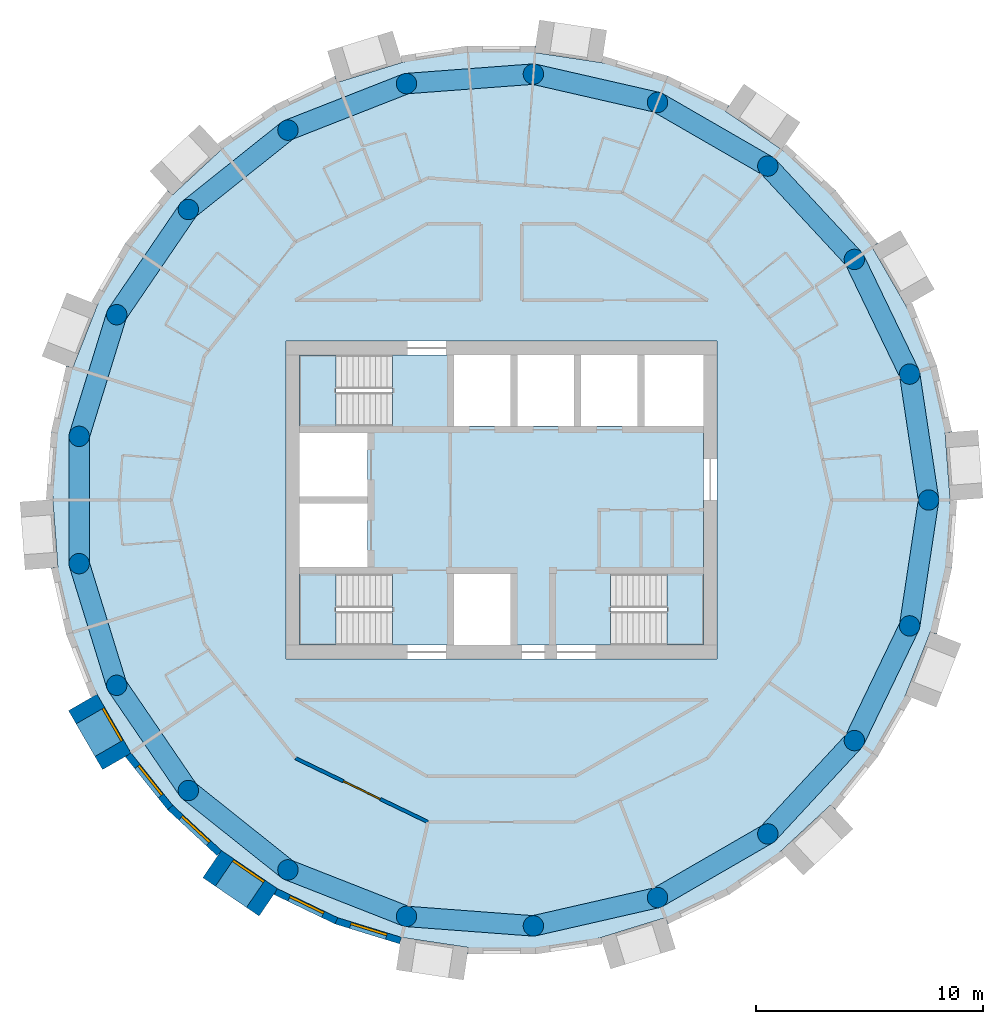
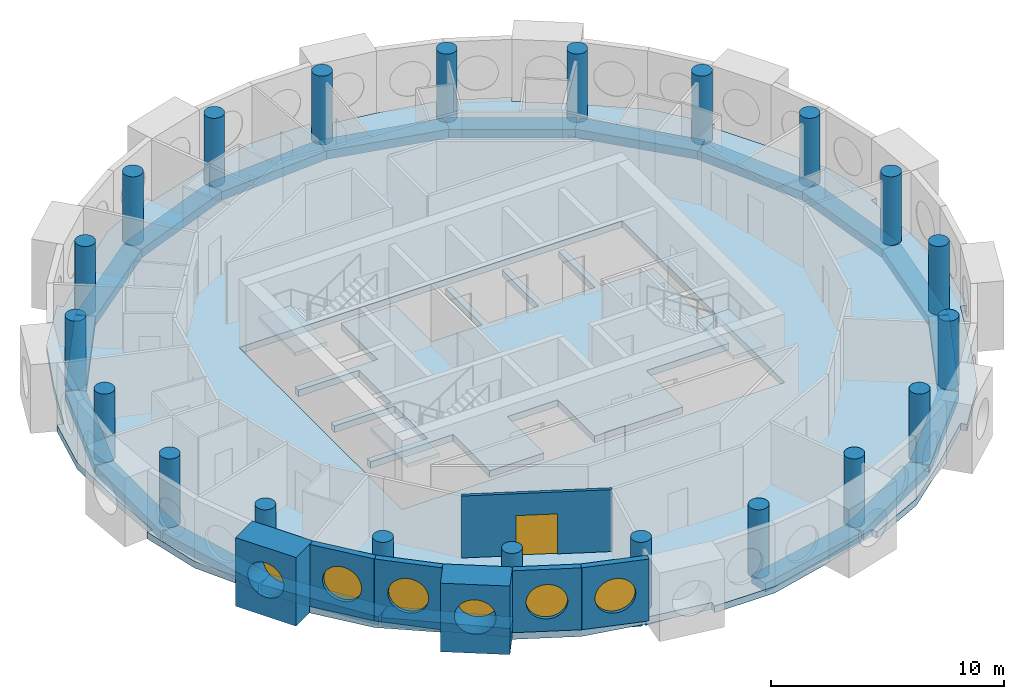
# One storey, part 1 of 12: 21 beams, 21 columns, 7 walls, 6 windows, 5 slabs, 1 door, 7 openings, 3 elements without a shape of their own.
"""IFC4 building model written with IfcOpenShell, lengths in metres."""

import ifcopenshell
import ifcopenshell.guid

model = None  # the IFC model being written
_history = None  # IfcOwnerHistory: only IFC2X3 demands one
_inside = {}  # id of a spatial element -> (the spatial element, [elements in it])
_under = {}  # id of a project, library or spatial element -> (it, [spatial elements below it])
_declared = {}  # id of a project -> (the project, [libraries it declares])
_typed = {}  # id of a type object -> (the type object, [elements of that type])
_made_of = {}  # id of a material, layer set ... -> (it, [elements and type objects made of it])


def new_model(schema):
    """Start an empty IFC model of exactly this schema.

    Asked for "IFC4X3", IfcOpenShell would pick the latest addendum, in which some entities
    have other attributes; the version numbers below select the first issue.
    IFC2X3 requires an IfcOwnerHistory on every rooted entity: one is made here for all.
    """
    global model, _history
    if schema == "IFC4X3":
        model = ifcopenshell.file(schema_version=(4, 3, 0, 0))
    else:
        model = ifcopenshell.file(schema=schema)
    _inside.clear()
    _under.clear()
    _declared.clear()
    _typed.clear()
    _made_of.clear()
    _history = None
    if model.schema == "IFC2X3":
        org = make("IfcOrganization", Name="unknown")
        user = make(
            "IfcPersonAndOrganization",
            ThePerson=make("IfcPerson", FamilyName="unknown"),
            TheOrganization=org,
        )
        app = make(
            "IfcApplication",
            ApplicationDeveloper=org,
            Version="unknown",
            ApplicationFullName="unknown",
            ApplicationIdentifier="unknown",
        )
        _history = make(
            "IfcOwnerHistory",
            OwningUser=user,
            OwningApplication=app,
            ChangeAction="ADDED",
            CreationDate=0,
        )
    return model


def make(cls, **values):
    """One entity of the class cls with the attributes given. An attribute that is None is left unset."""
    return model.create_entity(
        cls, **{name: value for name, value in values.items() if value is not None}
    )


def rooted(cls, **values):
    """An entity with a GlobalId (a new one), such as an element, a storey or a relation."""
    return make(cls, GlobalId=ifcopenshell.guid.new(), OwnerHistory=_history, **values)


def si_unit(unit_type, name, prefix=None):
    """IfcSIUnit, for example si_unit("LENGTHUNIT", "METRE", prefix="MILLI")."""
    return make("IfcSIUnit", UnitType=unit_type, Prefix=prefix, Name=name)


def assignment(units):
    """IfcUnitAssignment: the units of a project."""
    return None if units is None else make("IfcUnitAssignment", Units=units)


def point(xyz):
    """IfcCartesianPoint."""
    return None if xyz is None else make("IfcCartesianPoint", Coordinates=xyz)


def direction(xyz):
    """IfcDirection."""
    return None if xyz is None else make("IfcDirection", DirectionRatios=xyz)


def frame(location, z_axis=None, x_axis=None):
    """IfcAxis2Placement3D, a coordinate frame: its origin and axes. An axis left out is left unset."""
    return make(
        "IfcAxis2Placement3D",
        Location=point(location),
        Axis=direction(z_axis),
        RefDirection=direction(x_axis),
    )


def frame_2d(location, x_axis=None):
    """IfcAxis2Placement2D, a coordinate frame in the plane: its origin and x axis."""
    return make(
        "IfcAxis2Placement2D", Location=point(location), RefDirection=direction(x_axis)
    )


def origin():
    """The frame at (0, 0, 0) with its axes left unset."""
    return frame((0.0, 0.0, 0.0))


def origin_2d():
    """The frame at (0, 0) in the plane with its x axis left unset."""
    return frame_2d((0.0, 0.0))


def place(relative_to, where):
    """IfcLocalPlacement: puts the frame where relative to a parent placement (None: the world)."""
    return make(
        "IfcLocalPlacement", PlacementRelTo=relative_to, RelativePlacement=where
    )


def context(
    kind, dimensions, precision=None, world=None, true_north=None, identifier=None
):
    """IfcGeometricRepresentationContext, for example the 3D "Model" context."""
    return make(
        "IfcGeometricRepresentationContext",
        ContextIdentifier=identifier,
        ContextType=kind,
        CoordinateSpaceDimension=dimensions,
        Precision=precision,
        WorldCoordinateSystem=world,
        TrueNorth=true_north,
    )


def subcontext(parent, identifier, kind, view, scale=None):
    """IfcGeometricRepresentationSubContext, for example "Body" below "Model"."""
    return make(
        "IfcGeometricRepresentationSubContext",
        ContextIdentifier=identifier,
        ContextType=kind,
        ParentContext=parent,
        TargetScale=scale,
        TargetView=view,
    )


def project(units=None, contexts=None):
    """IfcProject with its units and contexts."""
    return rooted(
        "IfcProject",
        Name="project",
        RepresentationContexts=contexts,
        UnitsInContext=assignment(units),
    )


def spatial(cls, under=None, at=None, **own):
    """A site, building, storey or space (cls), placed at a placement, below another one or the project."""
    s = rooted(cls, ObjectPlacement=at, **own)
    if under is not None:
        _under.setdefault(under.id(), (under, []))[1].append(s)
    return s


def polyline(points):
    """IfcPolyline through the points."""
    return make("IfcPolyline", Points=[point(p) for p in points])


def profile(cls, at=None, kind="AREA", **sizes):
    """A parametric profile (cls). Its sizes go by their IFC names, for example OverallWidth=200.0."""
    return make(cls, ProfileType=kind, Position=at, **sizes)


def rectangle(**sizes):
    """IfcRectangleProfileDef."""
    return profile("IfcRectangleProfileDef", **sizes)


def circle(**sizes):
    """IfcCircleProfileDef."""
    return profile("IfcCircleProfileDef", **sizes)


def outline(outer, holes=None, kind="AREA"):
    """IfcArbitraryClosedProfileDef: a profile drawn as a closed curve; with holes, ...WithVoids."""
    if holes is None:
        return make("IfcArbitraryClosedProfileDef", ProfileType=kind, OuterCurve=outer)
    return make(
        "IfcArbitraryProfileDefWithVoids",
        ProfileType=kind,
        OuterCurve=outer,
        InnerCurves=holes,
    )


def extrude(swept, where, along, depth):
    """IfcExtrudedAreaSolid: the profile swept, set in the frame where, extruded along a direction by depth."""
    return make(
        "IfcExtrudedAreaSolid",
        SweptArea=swept,
        Position=where,
        ExtrudedDirection=direction(along),
        Depth=depth,
    )


def shape(context_of_items, identifier, shape_type, items):
    """IfcShapeRepresentation: the items that make up one representation, for example the "Body"."""
    return make(
        "IfcShapeRepresentation",
        ContextOfItems=context_of_items,
        RepresentationIdentifier=identifier,
        RepresentationType=shape_type,
        Items=items,
    )


def material(Name=None, Category=None):
    """IfcMaterial."""
    return make("IfcMaterial", Name=Name, Category=Category)


def layer(
    of_material, thickness, ventilated=None, Name=None, Category=None, Priority=None
):
    """IfcMaterialLayer: one layer of a wall or slab, of a material (None: an air gap)."""
    return make(
        "IfcMaterialLayer",
        Material=of_material,
        LayerThickness=thickness,
        IsVentilated=ventilated,
        Name=Name,
        Category=Category,
        Priority=Priority,
    )


def layer_set(layers, Name=None):
    """IfcMaterialLayerSet."""
    return make("IfcMaterialLayerSet", MaterialLayers=layers, LayerSetName=Name)


def material_profile(
    of_material, cross_section, Name=None, Category=None, Priority=None
):
    """IfcMaterialProfile: a cross section and its material."""
    return make(
        "IfcMaterialProfile",
        Name=Name,
        Material=of_material,
        Profile=cross_section,
        Priority=Priority,
        Category=Category,
    )


def profile_set(profiles, Name=None, composite=None):
    """IfcMaterialProfileSet."""
    return make(
        "IfcMaterialProfileSet",
        Name=Name,
        MaterialProfiles=profiles,
        CompositeProfile=composite,
    )


def made_of(thing, what):
    """Note that an element or type object is made of a material, layer set ...; save() writes the relation."""
    if what is not None:
        _made_of.setdefault(what.id(), (what, []))[1].append(thing)
    return thing


def type_object(cls, material=None, **own):
    """A type object (cls), such as IfcWallType, which elements share."""
    return made_of(rooted(cls, **own), material)


def element(
    cls,
    number,
    at=None,
    inside=None,
    cuts=None,
    type_object=None,
    material=None,
    context=None,
    identifier="Body",
    shape_type=None,
    held_by="IfcProductDefinitionShape",
    body=None,
    shapes=None,
    **own,
):
    """One element of the class cls, such as IfcWall. Its Tag is "e" and its number.

    at: its placement. inside: the storey or other place that contains it. cuts: it is an
    opening in that element (IfcRelVoidsElement). A single representation is given by context,
    identifier, shape_type and body (its items); several are given by shapes. held_by: the class
    of the entity that holds the representations. save() writes the other relations.
    """
    e = rooted(cls, Tag="e%d" % number, ObjectPlacement=at, **own)
    if body is not None:
        shapes = [shape(context, identifier, shape_type, body)]
    if shapes is not None:
        e.Representation = make(held_by, Representations=shapes)
    if inside is not None:
        _inside.setdefault(inside.id(), (inside, []))[1].append(e)
    if cuts is not None:
        rooted(
            "IfcRelVoidsElement", RelatingBuildingElement=cuts, RelatedOpeningElement=e
        )
    if type_object is not None:
        _typed.setdefault(type_object.id(), (type_object, []))[1].append(e)
    return made_of(e, material)


def fill(opening, filler):
    """IfcRelFillsElement: the door or window that sits in an opening."""
    return rooted(
        "IfcRelFillsElement",
        RelatingOpeningElement=opening,
        RelatedBuildingElement=filler,
    )


def aggregate(whole, parts):
    """IfcRelAggregates: a whole, such as a stair, and the parts it consists of."""
    return rooted("IfcRelAggregates", RelatingObject=whole, RelatedObjects=parts)


def save(model, path):
    """Write the relations noted so far, then the file.

    IfcRelAggregates (storeys below a building ...), IfcRelContainedInSpatialStructure (elements
    in a storey), IfcRelDefinesByType, IfcRelAssociatesMaterial and IfcRelDeclares: one each for
    every whole, place, type object, material and project.
    """
    for whole, parts in _under.values():
        aggregate(whole, parts)
    for where, things in _inside.values():
        rooted(
            "IfcRelContainedInSpatialStructure",
            RelatedElements=things,
            RelatingStructure=where,
        )
    for kind, things in _typed.values():
        rooted("IfcRelDefinesByType", RelatedObjects=things, RelatingType=kind)
    for what, things in _made_of.values():
        rooted("IfcRelAssociatesMaterial", RelatedObjects=things, RelatingMaterial=what)
    for by, libraries in _declared.values():
        rooted("IfcRelDeclares", RelatingContext=by, RelatedDefinitions=libraries)
    model.write(path)


model = new_model("IFC4")

# Units and contexts
model_context = context("Model", 3, precision=1e-05, world=origin(), true_north=direction((0.0, 1.0)))
body_context = subcontext(model_context, "Body", "Model", "MODEL_VIEW")
ifc_project = project(units=[si_unit("LENGTHUNIT", "METRE"), si_unit("AREAUNIT", "SQUARE_METRE"), si_unit("VOLUMEUNIT", "CUBIC_METRE"), si_unit("PLANEANGLEUNIT", "RADIAN"), si_unit("MASSUNIT", "GRAM", prefix="KILO")], contexts=[model_context])

# Site, building, storey
site_placement = place(None, origin())
site = spatial("IfcSite", under=ifc_project, at=site_placement, CompositionType="ELEMENT")
building_placement = place(site_placement, origin())
building = spatial("IfcBuilding", under=site, at=building_placement, Name="Tracery Tower", CompositionType="ELEMENT")
storey_placement = place(building_placement, frame((0.0, 0.0, 312.60009765625)))
storey = spatial("IfcBuildingStorey", under=building, at=storey_placement, Name="L81", CompositionType="ELEMENT", Elevation=312.60009765625)

# Columns
ifc_material_1 = material(Name="Concrete C40/50", Category="concrete")
ifc_material_profile_1 = material_profile(ifc_material_1, circle(Radius=0.449951171875, at=origin_2d()), Name="RC D900")
ifc_profile_set_1 = profile_set([ifc_material_profile_1], Name="Concrete C40/50")
column_type = type_object("IfcColumnType", Name="Ring 2 column 900", PredefinedType="COLUMN", material=ifc_profile_set_1)
for number, where, z_axis, x_axis, name in (
    (1, (18.822265625, 0.0, 0.0), (0.0, 0.0, 1.0), (1.0, 0.0, 0.0), "Ring 2 column 00 at L81"),
    (2, (17.986083984375, 5.5478515625, 0.0), (0.0, 0.0, 1.0), (1.0, 0.0, 0.0), "Ring 2 column 01 at L81"),
    (3, (15.551513671875, 10.602783203125, 0.0), (0.0, 0.0, 1.0), (1.0, 0.0, 0.0), "Ring 2 column 02 at L81"),
    (4, (11.7353515625, 14.7158203125, 0.0), (0.0, 0.0, 1.0), (1.0, 0.0, 0.0), "Ring 2 column 03 at L81"),
    (5, (6.87646484375, 17.52099609375, 0.0), (0.0, 0.0, 1.0), (1.0, 0.0, 0.0), "Ring 2 column 04 at L81"),
    (6, (1.406494140625, 18.76953125, 0.0), (0.0, 0.0, 1.0), (1.0, 0.0, 0.0), "Ring 2 column 05 at L81"),
    (7, (-4.188232421875, 18.350341796875, 0.0), (0.0, 0.0, 1.0), (1.0, 0.0, 0.0), "Ring 2 column 06 at L81"),
    (8, (-9.4111328125, 16.300537109375, 0.0), (0.0, 0.0, 1.0), (1.0, 0.0, 0.0), "Ring 2 column 07 at L81"),
    (9, (-13.797607421875, 12.802490234375, 0.0), (0.0, 0.0, 1.0), (1.0, 0.0, 0.0), "Ring 2 column 08 at L81"),
    (10, (-16.958251953125, 8.16650390625, 0.0), (0.0, 0.0, 1.0), (1.0, 0.0, 0.0), "Ring 2 column 09 at L81"),
    (11, (-18.612060546875, 2.805419921875, 0.0), (0.0, 0.0, 1.0), (1.0, 0.0, 0.0), "Ring 2 column 10 at L81"),
    (12, (-18.612060546875, -2.805419921875, 0.0), (0.0, 0.0, 1.0), (1.0, 0.0, 0.0), "Ring 2 column 11 at L81"),
    (13, (-16.958251953125, -8.166748046875, 0.0), (0.0, 0.0, 1.0), (1.0, 0.0, 0.0), "Ring 2 column 12 at L81"),
    (14, (-13.797607421875, -12.80224609375, 0.0), (0.0, 0.0, 1.0), (1.0, 0.0, 0.0), "Ring 2 column 13 at L81"),
    (15, (-9.4111328125, -16.300537109375, 0.0), (0.0, 0.0, 1.0), (1.0, 0.0, 0.0), "Ring 2 column 14 at L81"),
    (16, (-4.188232421875, -18.350341796875, 0.0), (0.0, 0.0, 1.0), (1.0, 0.0, 0.0), "Ring 2 column 15 at L81"),
    (17, (1.406494140625, -18.76953125, 0.0), (0.0, 0.0, 1.0), (1.0, 0.0, 0.0), "Ring 2 column 16 at L81"),
    (18, (6.87646484375, -17.52099609375, 0.0), (0.0, 0.0, 1.0), (1.0, 0.0, 0.0), "Ring 2 column 17 at L81"),
    (19, (11.7353515625, -14.7158203125, 0.0), (0.0, 0.0, 1.0), (1.0, 0.0, 0.0), "Ring 2 column 18 at L81"),
    (20, (15.551513671875, -10.602783203125, 0.0), (0.0, 0.0, 1.0), (1.0, 0.0, 0.0), "Ring 2 column 19 at L81"),
    (21, (17.986083984375, -5.5478515625, 0.0), (0.0, 0.0, 1.0), (1.0, 0.0, 0.0), "Ring 2 column 20 at L81"),
):
    element("IfcColumn", number, at=place(storey_placement, frame(where, z_axis=z_axis, x_axis=x_axis)), inside=storey, type_object=column_type, Name=name, PredefinedType="COLUMN", context=body_context, shape_type="SweptSolid", body=[
        extrude(circle(Radius=0.449951171875, at=origin_2d()), origin(), (0.0, 0.0, 1.0), 3.599853515625),
    ])

# Beams
ifc_material_2 = material(Name="Concrete C40/50", Category="concrete")
ifc_material_profile_2 = material_profile(ifc_material_2, rectangle(XDim=0.89990234375, YDim=0.449951171875, at=origin_2d()), Name="RC 900x450")
ifc_profile_set_2 = profile_set([ifc_material_profile_2], Name="Concrete C40/50")
beam_type = type_object("IfcBeamType", Name="Perimeter band beam 900x450", PredefinedType="BEAM", material=ifc_profile_set_2)
for number, where, z_axis, x_axis, name in (
    (22, (18.822265625, 0.0, -0.5751953125), (-0.149038355855, 0.988831415603, 0.0), (-0.988831415603, -0.149038355855, 0.0), "Perimeter beam 2.00 under L81"),
    (23, (17.986083984375, 5.5478515625, -0.5751953125), (-0.433918973155, 0.900951899235, 0.0), (-0.900951899235, -0.433918973155, 0.0), "Perimeter beam 2.01 under L81"),
):
    element("IfcBeam", number, at=place(storey_placement, frame(where, z_axis=z_axis, x_axis=x_axis)), inside=storey, type_object=beam_type, Name=name, PredefinedType="BEAM", context=body_context, shape_type="SweptSolid", body=[
        extrude(rectangle(XDim=0.89990234375, YDim=0.449951171875, at=origin_2d()), origin(), (0.0, 0.0, 1.0), 5.610595703125),
    ])
beam_1_placement = place(storey_placement, frame((15.551513671875, 10.602783203125, -0.5751953125), z_axis=(-0.680155630824, 0.733067744386, 0.0), x_axis=(-0.733067744386, -0.680155630824, 0.0)))
element("IfcBeam", 24, at=beam_1_placement, inside=storey, type_object=beam_type, Name="Perimeter beam 2.02 under L81", PredefinedType="BEAM", context=body_context, shape_type="SweptSolid", body=[
    extrude(rectangle(XDim=0.89990234375, YDim=0.449951171875, at=origin_2d()), origin(), (0.0, 0.0, 1.0), 5.61083984375),
])
for number, where, z_axis, x_axis, name in (
    (25, (11.7353515625, 14.7158203125, -0.5751953125), (-0.866033412818, 0.49998612769, 0.0), (-0.49998612769, -0.866033412818, 0.0), "Perimeter beam 2.03 under L81"),
    (26, (6.87646484375, 17.52099609375, -0.5751953125), (-0.974925977366, 0.222529410768, 0.0), (-0.222529410768, -0.974925977366, 0.0), "Perimeter beam 2.04 under L81"),
):
    element("IfcBeam", number, at=place(storey_placement, frame(where, z_axis=z_axis, x_axis=x_axis)), inside=storey, type_object=beam_type, Name=name, PredefinedType="BEAM", context=body_context, shape_type="SweptSolid", body=[
        extrude(rectangle(XDim=0.89990234375, YDim=0.449951171875, at=origin_2d()), origin(), (0.0, 0.0, 1.0), 5.610595703125),
    ])
beam_2_placement = place(storey_placement, frame((1.406494140625, 18.76953125, -0.5751953125), z_axis=(-0.997204824387, -0.07471638521, 0.0), x_axis=(0.07471638521, -0.997204824387, 0.0)))
element("IfcBeam", 27, at=beam_2_placement, inside=storey, type_object=beam_type, Name="Perimeter beam 2.05 under L81", PredefinedType="BEAM", context=body_context, shape_type="SweptSolid", body=[
    extrude(rectangle(XDim=0.89990234375, YDim=0.449951171875, at=origin_2d()), origin(), (0.0, 0.0, 1.0), 5.6103515625),
])
beam_3_placement = place(storey_placement, frame((-4.188232421875, 18.350341796875, -0.5751953125), z_axis=(-0.930875728468, -0.365335979817, 0.0), x_axis=(0.365335979817, -0.930875728468, 0.0)))
element("IfcBeam", 28, at=beam_3_placement, inside=storey, type_object=beam_type, Name="Perimeter beam 2.06 under L81", PredefinedType="BEAM", context=body_context, shape_type="SweptSolid", body=[
    extrude(rectangle(XDim=0.89990234375, YDim=0.449951171875, at=origin_2d()), origin(), (0.0, 0.0, 1.0), 5.61083984375),
])
beam_4_placement = place(storey_placement, frame((-9.4111328125, 16.300537109375, -0.5751953125), z_axis=(-0.781835817725, -0.623484365579, 0.0), x_axis=(0.623484365579, -0.781835817725, 0.0)))
element("IfcBeam", 29, at=beam_4_placement, inside=storey, type_object=beam_type, Name="Perimeter beam 2.07 under L81", PredefinedType="BEAM", context=body_context, shape_type="SweptSolid", body=[
    extrude(rectangle(XDim=0.89990234375, YDim=0.449951171875, at=origin_2d()), origin(), (0.0, 0.0, 1.0), 5.610595703125),
])
beam_5_placement = place(storey_placement, frame((-13.797607421875, 12.802490234375, -0.5751953125), z_axis=(-0.563305770578, -0.826248515178, 0.0), x_axis=(0.826248515178, -0.563305770578, 0.0)))
element("IfcBeam", 30, at=beam_5_placement, inside=storey, type_object=beam_type, Name="Perimeter beam 2.08 under L81", PredefinedType="BEAM", context=body_context, shape_type="SweptSolid", body=[
    extrude(rectangle(XDim=0.89990234375, YDim=0.449951171875, at=origin_2d()), origin(), (0.0, 0.0, 1.0), 5.61083984375),
])
beam_6_placement = place(storey_placement, frame((-16.958251953125, 8.16650390625, -0.5751953125), z_axis=(-0.294776851839, -0.955566118916, 0.0), x_axis=(0.955566118916, -0.294776851839, 0.0)))
element("IfcBeam", 31, at=beam_6_placement, inside=storey, type_object=beam_type, Name="Perimeter beam 2.09 under L81", PredefinedType="BEAM", context=body_context, shape_type="SweptSolid", body=[
    extrude(rectangle(XDim=0.89990234375, YDim=0.449951171875, at=origin_2d()), origin(), (0.0, 0.0, 1.0), 5.6103515625),
])
beam_7_placement = place(storey_placement, frame((-18.612060546875, 2.805419921875, -0.5751953125), z_axis=(0.0, -1.0, 0.0), x_axis=(1.0, 0.0, 0.0)))
element("IfcBeam", 32, at=beam_7_placement, inside=storey, type_object=beam_type, Name="Perimeter beam 2.10 under L81", PredefinedType="BEAM", context=body_context, shape_type="SweptSolid", body=[
    extrude(rectangle(XDim=0.89990234375, YDim=0.449951171875, at=origin_2d()), origin(), (0.0, 0.0, 1.0), 5.61083984375),
])
for number, where, z_axis, x_axis, name in (
    (33, (-18.612060546875, -2.805419921875, -0.5751953125), (0.294764594813, -0.955569899926, 0.0), (0.955569899926, 0.294764594813, 0.0), "Perimeter beam 2.11 under L81"),
    (34, (-16.958251953125, -8.166748046875, -0.5751953125), (0.5633462764, -0.826220898348, 0.0), (0.826220898348, 0.5633462764, 0.0), "Perimeter beam 2.12 under L81"),
    (35, (-13.797607421875, -12.80224609375, -0.5751953125), (0.781814605872, -0.623510963853, 0.0), (0.623510963853, 0.781814605872, 0.0), "Perimeter beam 2.13 under L81"),
):
    element("IfcBeam", number, at=place(storey_placement, frame(where, z_axis=z_axis, x_axis=x_axis)), inside=storey, type_object=beam_type, Name=name, PredefinedType="BEAM", context=body_context, shape_type="SweptSolid", body=[
        extrude(rectangle(XDim=0.89990234375, YDim=0.449951171875, at=origin_2d()), origin(), (0.0, 0.0, 1.0), 5.610595703125),
    ])
beam_8_placement = place(storey_placement, frame((-9.4111328125, -16.300537109375, -0.5751953125), z_axis=(0.930875728468, -0.365335979817, 0.0), x_axis=(0.365335979817, 0.930875728468, 0.0)))
element("IfcBeam", 36, at=beam_8_placement, inside=storey, type_object=beam_type, Name="Perimeter beam 2.14 under L81", PredefinedType="BEAM", context=body_context, shape_type="SweptSolid", body=[
    extrude(rectangle(XDim=0.89990234375, YDim=0.449951171875, at=origin_2d()), origin(), (0.0, 0.0, 1.0), 5.61083984375),
])
beam_9_placement = place(storey_placement, frame((-4.188232421875, -18.350341796875, -0.5751953125), z_axis=(0.997204824387, -0.07471638521, 0.0), x_axis=(0.07471638521, 0.997204824387, 0.0)))
element("IfcBeam", 37, at=beam_9_placement, inside=storey, type_object=beam_type, Name="Perimeter beam 2.15 under L81", PredefinedType="BEAM", context=body_context, shape_type="SweptSolid", body=[
    extrude(rectangle(XDim=0.89990234375, YDim=0.449951171875, at=origin_2d()), origin(), (0.0, 0.0, 1.0), 5.6103515625),
])
for number, where, z_axis, x_axis, name in (
    (38, (1.406494140625, -18.76953125, -0.5751953125), (0.974925977366, 0.222529410768, 0.0), (-0.222529410768, 0.974925977366, 0.0), "Perimeter beam 2.16 under L81"),
    (39, (6.87646484375, -17.52099609375, -0.5751953125), (0.866033412818, 0.49998612769, 0.0), (-0.49998612769, 0.866033412818, 0.0), "Perimeter beam 2.17 under L81"),
):
    element("IfcBeam", number, at=place(storey_placement, frame(where, z_axis=z_axis, x_axis=x_axis)), inside=storey, type_object=beam_type, Name=name, PredefinedType="BEAM", context=body_context, shape_type="SweptSolid", body=[
        extrude(rectangle(XDim=0.89990234375, YDim=0.449951171875, at=origin_2d()), origin(), (0.0, 0.0, 1.0), 5.610595703125),
    ])
beam_10_placement = place(storey_placement, frame((11.7353515625, -14.7158203125, -0.5751953125), z_axis=(0.680155630824, 0.733067744386, 0.0), x_axis=(-0.733067744386, 0.680155630824, 0.0)))
element("IfcBeam", 40, at=beam_10_placement, inside=storey, type_object=beam_type, Name="Perimeter beam 2.18 under L81", PredefinedType="BEAM", context=body_context, shape_type="SweptSolid", body=[
    extrude(rectangle(XDim=0.89990234375, YDim=0.449951171875, at=origin_2d()), origin(), (0.0, 0.0, 1.0), 5.61083984375),
])
for number, where, z_axis, x_axis, name in (
    (41, (15.551513671875, -10.602783203125, -0.5751953125), (0.433918973155, 0.900951899235, 0.0), (-0.900951899235, 0.433918973155, 0.0), "Perimeter beam 2.19 under L81"),
    (42, (17.986083984375, -5.5478515625, -0.5751953125), (0.149038355855, 0.988831415603, 0.0), (-0.988831415603, 0.149038355855, 0.0), "Perimeter beam 2.20 under L81"),
):
    element("IfcBeam", number, at=place(storey_placement, frame(where, z_axis=z_axis, x_axis=x_axis)), inside=storey, type_object=beam_type, Name=name, PredefinedType="BEAM", context=body_context, shape_type="SweptSolid", body=[
        extrude(rectangle(XDim=0.89990234375, YDim=0.449951171875, at=origin_2d()), origin(), (0.0, 0.0, 1.0), 5.610595703125),
    ])

# Slabs
ifc_material_3 = material(Name="Concrete C40/50", Category="concrete")
ifc_layer_1 = layer(ifc_material_3, 0.35009765625)
ifc_layer_set_1 = layer_set([ifc_layer_1], Name="Core floor slab 350 C40")
slab_type_1 = type_object("IfcSlabType", Name="Core floor slab 350 C40", PredefinedType="FLOOR", material=ifc_layer_set_1)
slab_1_placement = place(storey_placement, frame((0.0, 0.0, -0.35009765625)))
element("IfcSlab", 43, at=slab_1_placement, inside=storey, type_object=slab_type_1, Name="L81 core floor 1", PredefinedType="FLOOR", context=body_context, shape_type="SweptSolid", body=[
    extrude(outline(polyline([(-4.800537109375, -3.25), (-8.89990234375, -3.25), (-8.89990234375, -2.949951171875), (-5.89990234375, -2.949951171875), (-5.89990234375, -0.14990234375), (-8.89990234375, -0.14990234375), (-8.89990234375, 0.14990234375), (-5.89990234375, 0.14990234375), (-5.89990234375, 2.949951171875), (-8.89990234375, 2.949951171875), (-8.89990234375, 3.25), (-4.800537109375, 3.25), (-4.800537109375, 6.39990234375), (-2.10009765625, 6.39990234375), (-2.10009765625, 3.25), (0.39990234375, 3.25), (0.39990234375, 6.39990234375), (0.699951171875, 6.39990234375), (0.699951171875, 3.25), (3.199951171875, 3.25), (3.199951171875, 6.39990234375), (3.5, 6.39990234375), (3.5, 3.25), (6.0, 3.25), (6.0, 6.39990234375), (6.300048828125, 6.39990234375), (6.300048828125, 3.25), (8.89990234375, 3.25), (8.89990234375, -3.25), (4.800537109375, -3.25), (4.800537109375, -6.39990234375), (0.39990234375, -6.39990234375), (0.39990234375, -3.25), (-2.10009765625, -3.25), (-2.10009765625, -6.39990234375), (-4.800537109375, -6.39990234375), (-4.800537109375, -3.25)])), origin(), (0.0, 0.0, 1.0), 0.35009765625),
])
ifc_material_4 = material(Name="Concrete C40/50", Category="concrete")
ifc_layer_2 = layer(ifc_material_4, 0.35009765625)
ifc_layer_set_2 = layer_set([ifc_layer_2], Name="Floor slab 350")
slab_type_2 = type_object("IfcSlabType", Name="Floor slab 350", PredefinedType="FLOOR", material=ifc_layer_set_2)
slab_2_placement = place(storey_placement, frame((0.0, 0.0, -0.35009765625)))
element("IfcSlab", 44, at=slab_2_placement, inside=storey, type_object=slab_type_2, Name="Floor slab L81", PredefinedType="FLOOR", context=body_context, shape_type="SweptSolid", body=[
    extrude(outline(polyline([(19.550537109375, 2.94677734375), (19.548828125, 2.96923828125), (19.847900390625, 2.99169921875), (19.180419921875, 5.91650390625), (17.813720703125, 8.577880859375), (16.32470703125, 11.156982421875), (16.583984375, 11.306884765625), (16.58447265625, 11.30712890625), (14.714111328125, 13.652587890625), (12.3271484375, 15.4580078125), (9.8671875, 17.13525390625), (10.0361328125, 17.383056640625), (7.333251953125, 18.684814453125), (4.3994140625, 19.275634765625), (2.3466796875, 19.585205078125), (1.455322265625, 19.719482421875), (1.5, 20.01611328125), (1.5, 20.01611328125), (-1.5, 20.01611328125), (-4.3994140625, 19.275634765625), (-7.223388671875, 18.404541015625), (-7.223388671875, 18.404541015625), (-7.244873046875, 18.39794921875), (-7.333251953125, 18.684814453125), (-10.0361328125, 17.383056640625), (-12.3271484375, 15.4580078125), (-14.493408203125, 13.447998046875), (-14.493408203125, 13.447998046875), (-14.510009765625, 13.4326171875), (-14.714111328125, 13.652587890625), (-14.714111328125, 13.652587890625), (-16.58447265625, 11.30712890625), (-17.81298828125, 8.5791015625), (-18.901123046875, 5.806884765625), (-19.180419921875, 5.91650390625), (-19.847900390625, 2.99169921875), (-19.771484375, 0.000732421875), (-19.63720703125, -1.789306640625), (-19.550537109375, -2.94677734375), (-19.550537109375, -2.94677734375), (-19.548828125, -2.96923828125), (-19.847900390625, -2.99169921875), (-19.180419921875, -5.91650390625), (-17.813720703125, -8.577880859375), (-16.32470703125, -11.156982421875), (-16.583984375, -11.306884765625), (-16.58447265625, -11.30712890625), (-14.714111328125, -13.652587890625), (-12.3271484375, -15.4580078125), (-9.8671875, -17.13525390625), (-10.0361328125, -17.383056640625), (-7.333251953125, -18.684814453125), (-4.3994140625, -19.275634765625), (-2.3466796875, -19.585205078125), (-1.455322265625, -19.719482421875), (-1.5, -20.01611328125), (-1.5, -20.01611328125), (1.5, -20.01611328125), (4.3994140625, -19.275634765625), (7.223388671875, -18.404541015625), (7.223388671875, -18.404541015625), (7.244873046875, -18.39794921875), (7.333251953125, -18.684814453125), (10.0361328125, -17.383056640625), (12.3271484375, -15.4580078125), (14.493408203125, -13.447998046875), (14.493408203125, -13.447998046875), (14.510009765625, -13.4326171875), (14.714111328125, -13.652587890625), (14.714111328125, -13.652587890625), (16.58447265625, -11.30712890625), (17.81298828125, -8.5791015625), (18.901123046875, -5.806884765625), (19.180419921875, -5.91650390625), (19.847900390625, -2.99169921875), (19.771484375, -0.000732421875), (19.63720703125, 1.789306640625), (19.550537109375, 2.94677734375), (19.550537109375, 2.94677734375)]), holes=[polyline([(-9.5, -7.0), (9.5, -7.0), (9.5, 7.0), (-9.5, 7.0), (-9.5, -7.0)])]), origin(), (0.0, 0.0, 1.0), 0.35009765625),
])

# Stair, slab
ifc_material_5 = material(Name="Concrete C32/40", Category="concrete")
stair_type = type_object("IfcStairType", Name="Core stair 22 risers", PredefinedType="HALF_TURN_STAIR", material=ifc_material_5)
stair_1_placement = place(storey_placement, origin())
stair_1 = element("IfcStair", 45, at=stair_1_placement, inside=storey, type_object=stair_type, Name="L81 stair ST1", PredefinedType="HALF_TURN_STAIR")
ifc_material_6 = material(Name="Concrete C32/40", Category="concrete")
ifc_layer_3 = layer(ifc_material_6, 0.199951171875)
ifc_layer_set_3 = layer_set([ifc_layer_3], Name="Stair landing slab 200")
slab_type_3 = type_object("IfcSlabType", Name="Stair landing slab 200", PredefinedType="LANDING", material=ifc_layer_set_3)
slab_3_placement = place(storey_placement, frame((0.0, 0.0, 1.599853515625)))
slab_3 = element("IfcSlab", 46, at=slab_3_placement, type_object=slab_type_3, Name="ST1 landing 1", PredefinedType="LANDING", context=body_context, shape_type="SweptSolid", body=[
    extrude(outline(polyline([(-7.29931640625, -3.25), (-8.89990234375, -3.25), (-8.89990234375, -6.39990234375), (-7.29931640625, -6.39990234375), (-7.29931640625, -3.25)])), origin(), (0.0, 0.0, 1.0), 0.199951171875),
])
aggregate(stair_1, [slab_3])

stair_2_placement = place(storey_placement, origin())
stair_2 = element("IfcStair", 47, at=stair_2_placement, inside=storey, type_object=stair_type, Name="L81 stair ST3", PredefinedType="HALF_TURN_STAIR")
slab_4_placement = place(storey_placement, frame((0.0, 0.0, 1.599853515625)))
slab_4 = element("IfcSlab", 48, at=slab_4_placement, type_object=slab_type_3, Name="ST3 landing 1", PredefinedType="LANDING", context=body_context, shape_type="SweptSolid", body=[
    extrude(outline(polyline([(-7.29931640625, 6.39990234375), (-8.89990234375, 6.39990234375), (-8.89990234375, 3.25), (-7.29931640625, 3.25), (-7.29931640625, 6.39990234375)])), origin(), (0.0, 0.0, 1.0), 0.199951171875),
])
aggregate(stair_2, [slab_4])

stair_3_placement = place(storey_placement, origin())
stair_3 = element("IfcStair", 49, at=stair_3_placement, inside=storey, type_object=stair_type, Name="L81 stair ST2", PredefinedType="HALF_TURN_STAIR")
slab_5_placement = place(storey_placement, frame((0.0, 0.0, 1.599853515625)))
slab_5 = element("IfcSlab", 50, at=slab_5_placement, type_object=slab_type_3, Name="ST2 landing 1", PredefinedType="LANDING", context=body_context, shape_type="SweptSolid", body=[
    extrude(outline(polyline([(7.29931640625, -6.39990234375), (8.89990234375, -6.39990234375), (8.89990234375, -3.25), (7.29931640625, -3.25), (7.29931640625, -6.39990234375)])), origin(), (0.0, 0.0, 1.0), 0.199951171875),
])
aggregate(stair_3, [slab_5])

# Wall, opening, window
ifc_material_7 = material(Name="Precast concrete C50/60", Category="concrete")
ifc_layer_4 = layer(ifc_material_7, 1.449951171875)
ifc_layer_set_4 = layer_set([ifc_layer_4], Name="Deep-set bay unit 3000 x 3600, slab edge 350")
wall_type_1 = type_object("IfcWallType", Name="Deep-set bay unit 3000 x 3600, slab edge 350", PredefinedType="ELEMENTEDWALL", material=ifc_layer_set_4)
wall_1_placement = place(storey_placement, frame((-18.452392578125, -8.92138671875, -0.35009765625), z_axis=(0.0, 0.0, 1.0), x_axis=(0.499990139034, -0.866031096941, 0.0)))
wall_1 = element("IfcWall", 51, at=wall_1_placement, inside=storey, type_object=wall_type_1, Name="Deep-set bay unit 25 at L81", PredefinedType="ELEMENTEDWALL", context=body_context, shape_type="SweptSolid", body=[
    extrude(rectangle(XDim=3.0, YDim=1.449951171875, at=frame_2d((1.5, 0.0))), origin(), (0.0, 0.0, 1.0), 3.60009765625),
])
opening_1_placement = place(wall_1_placement, frame((1.5, 0.0, 1.89990234375)))
opening_1 = element("IfcOpeningElement", 52, at=opening_1_placement, cuts=wall_1, Name="Opening WN1", PredefinedType="OPENING", context=body_context, shape_type="SweptSolid", body=[
    extrude(circle(Radius=0.9000244140625, at=origin_2d()), frame((0.0, 0.73486328125, 0.0), z_axis=(0.0, -1.0, 0.0), x_axis=(1.0, 0.0, 0.0)), (0.0, 0.0, 1.0), 1.469970703125),
])
ifc_material_8 = material(Name="Aluminium frame with tinted double glazing", Category="aluminium")
window_type = type_object("IfcWindowType", Name="Round window 1800", PartitioningType="SINGLE_PANEL", PredefinedType="WINDOW", material=ifc_material_8)
window_1_placement = place(opening_1_placement, origin())
window_1 = element("IfcWindow", 53, at=window_1_placement, inside=storey, type_object=window_type, Name="Round window 25 at L81", OverallHeight=1.800048828125, OverallWidth=1.800048828125, PartitioningType="SINGLE_PANEL", PredefinedType="WINDOW", context=body_context, shape_type="SweptSolid", body=[
    extrude(circle(Radius=0.9000244140625, at=origin_2d()), frame((0.0, 0.69482421875, 0.0), z_axis=(0.0, -1.0, 0.0), x_axis=(1.0, 0.0, 0.0)), (0.0, 0.0, 1.0), 0.10009765625),
])
fill(opening_1, window_1)

wall_2_placement = place(storey_placement, frame((-12.754150390625, -16.044189453125, -0.35009765625), z_axis=(0.0, 0.0, 1.0), x_axis=(0.826246281157, -0.563309047392, 0.0)))
wall_2 = element("IfcWall", 54, at=wall_2_placement, inside=storey, type_object=wall_type_1, Name="Deep-set bay unit 28 at L81", PredefinedType="ELEMENTEDWALL", context=body_context, shape_type="SweptSolid", body=[
    extrude(rectangle(XDim=3.0, YDim=1.449951171875, at=frame_2d((1.5, 0.0))), origin(), (0.0, 0.0, 1.0), 3.60009765625),
])
opening_2_placement = place(wall_2_placement, frame((1.5, 0.0, 1.89990234375)))
opening_2 = element("IfcOpeningElement", 55, at=opening_2_placement, cuts=wall_2, Name="Opening WN1", PredefinedType="OPENING", context=body_context, shape_type="SweptSolid", body=[
    extrude(circle(Radius=0.9000244140625, at=origin_2d()), frame((0.0, 0.73486328125, 0.0), z_axis=(0.0, -1.0, 0.0), x_axis=(1.0, 0.0, 0.0)), (0.0, 0.0, 1.0), 1.469970703125),
])
window_2_placement = place(opening_2_placement, origin())
window_2 = element("IfcWindow", 56, at=window_2_placement, inside=storey, type_object=window_type, Name="Round window 28 at L81", OverallHeight=1.800048828125, OverallWidth=1.800048828125, PartitioningType="SINGLE_PANEL", PredefinedType="WINDOW", context=body_context, shape_type="SweptSolid", body=[
    extrude(circle(Radius=0.9000244140625, at=origin_2d()), frame((0.0, 0.69482421875, 0.0), z_axis=(0.0, -1.0, 0.0), x_axis=(1.0, 0.0, 0.0)), (0.0, 0.0, 1.0), 0.10009765625),
])
fill(opening_2, window_2)

ifc_material_9 = material(Name="Precast concrete C50/60", Category="concrete")
ifc_layer_5 = layer(ifc_material_9, 0.300048828125)
ifc_layer_set_5 = layer_set([ifc_layer_5], Name="Facade panel 3000 x 3250")
wall_type_2 = type_object("IfcWallType", Name="Facade panel 3000 x 3250", PredefinedType="SOLIDWALL", material=ifc_layer_set_5)
wall_3_placement = place(storey_placement, frame((-16.45068359375, -11.234375, 0.0), z_axis=(0.0, 0.0, 1.0), x_axis=(0.623498236992, -0.781824755599, 0.0)))
wall_3 = element("IfcWall", 57, at=wall_3_placement, inside=storey, type_object=wall_type_2, Name="Facade panel 26 at L81", PredefinedType="SOLIDWALL", context=body_context, shape_type="SweptSolid", body=[
    extrude(rectangle(XDim=2.962158203125, YDim=0.300048828125, at=frame_2d((1.48095703125, 0.0))), origin(), (0.0, 0.0, 1.0), 3.25),
])
opening_3_placement = place(wall_3_placement, frame((1.48095703125, 0.0, 1.5498046875)))
opening_3 = element("IfcOpeningElement", 58, at=opening_3_placement, cuts=wall_3, Name="Opening WN1", PredefinedType="OPENING", context=body_context, shape_type="SweptSolid", body=[
    extrude(circle(Radius=0.9000244140625, at=origin_2d()), frame((0.0, 0.159912109375, 0.0), z_axis=(0.0, -1.0, 0.0), x_axis=(1.0, 0.0, 0.0)), (0.0, 0.0, 1.0), 0.320068359375),
])
window_3_placement = place(opening_3_placement, origin())
window_3 = element("IfcWindow", 59, at=window_3_placement, inside=storey, type_object=window_type, Name="Round window 26 at L81", OverallHeight=1.800048828125, OverallWidth=1.800048828125, PartitioningType="SINGLE_PANEL", PredefinedType="WINDOW", context=body_context, shape_type="SweptSolid", body=[
    extrude(circle(Radius=0.9000244140625, at=origin_2d()), frame((0.0, 0.1201171875, 0.0), z_axis=(0.0, -1.0, 0.0), x_axis=(1.0, 0.0, 0.0)), (0.0, 0.0, 1.0), 0.10009765625),
])
fill(opening_3, window_3)

wall_4_placement = place(storey_placement, frame((-14.603759765625, -13.55029296875, 0.0), z_axis=(0.0, 0.0, 1.0), x_axis=(0.733066412643, -0.680157066165, 0.0)))
wall_4 = element("IfcWall", 60, at=wall_4_placement, inside=storey, type_object=wall_type_2, Name="Facade panel 27 at L81", PredefinedType="SOLIDWALL", context=body_context, shape_type="SweptSolid", body=[
    extrude(rectangle(XDim=2.96240234375, YDim=0.300048828125, at=frame_2d((1.481201171875, 0.0))), origin(), (0.0, 0.0, 1.0), 3.25),
])
opening_4_placement = place(wall_4_placement, frame((1.48095703125, 0.0, 1.5498046875)))
opening_4 = element("IfcOpeningElement", 61, at=opening_4_placement, cuts=wall_4, Name="Opening WN1", PredefinedType="OPENING", context=body_context, shape_type="SweptSolid", body=[
    extrude(circle(Radius=0.9000244140625, at=origin_2d()), frame((0.0, 0.159912109375, 0.0), z_axis=(0.0, -1.0, 0.0), x_axis=(1.0, 0.0, 0.0)), (0.0, 0.0, 1.0), 0.320068359375),
])
window_4_placement = place(opening_4_placement, origin())
window_4 = element("IfcWindow", 62, at=window_4_placement, inside=storey, type_object=window_type, Name="Round window 27 at L81", OverallHeight=1.800048828125, OverallWidth=1.800048828125, PartitioningType="SINGLE_PANEL", PredefinedType="WINDOW", context=body_context, shape_type="SweptSolid", body=[
    extrude(circle(Radius=0.9000244140625, at=origin_2d()), frame((0.0, 0.1201171875, 0.0), z_axis=(0.0, -1.0, 0.0), x_axis=(1.0, 0.0, 0.0)), (0.0, 0.0, 1.0), 0.10009765625),
])
fill(opening_4, window_4)

wall_5_placement = place(storey_placement, frame((-9.947021484375, -17.25927734375, 0.0), z_axis=(0.0, 0.0, 1.0), x_axis=(0.900939615635, -0.433944476838, 0.0)))
wall_5 = element("IfcWall", 63, at=wall_5_placement, inside=storey, type_object=wall_type_2, Name="Facade panel 29 at L81", PredefinedType="SOLIDWALL", context=body_context, shape_type="SweptSolid", body=[
    extrude(rectangle(XDim=2.962158203125, YDim=0.300048828125, at=frame_2d((1.48095703125, 0.0))), origin(), (0.0, 0.0, 1.0), 3.25),
])
opening_5_placement = place(wall_5_placement, frame((1.48095703125, 0.0, 1.5498046875)))
opening_5 = element("IfcOpeningElement", 64, at=opening_5_placement, cuts=wall_5, Name="Opening WN1", PredefinedType="OPENING", context=body_context, shape_type="SweptSolid", body=[
    extrude(circle(Radius=0.9000244140625, at=origin_2d()), frame((0.0, 0.159912109375, 0.0), z_axis=(0.0, -1.0, 0.0), x_axis=(1.0, 0.0, 0.0)), (0.0, 0.0, 1.0), 0.320068359375),
])
window_5_placement = place(opening_5_placement, origin())
window_5 = element("IfcWindow", 65, at=window_5_placement, inside=storey, type_object=window_type, Name="Round window 29 at L81", OverallHeight=1.800048828125, OverallWidth=1.800048828125, PartitioningType="SINGLE_PANEL", PredefinedType="WINDOW", context=body_context, shape_type="SweptSolid", body=[
    extrude(circle(Radius=0.9000244140625, at=origin_2d()), frame((0.0, 0.1201171875, 0.0), z_axis=(0.0, -1.0, 0.0), x_axis=(1.0, 0.0, 0.0)), (0.0, 0.0, 1.0), 0.10009765625),
])
fill(opening_5, window_5)

wall_6_placement = place(storey_placement, frame((-7.2783203125, -18.544677734375, 0.0), z_axis=(0.0, 0.0, 1.0), x_axis=(0.95558635705, -0.294711238707, 0.0)))
wall_6 = element("IfcWall", 66, at=wall_6_placement, inside=storey, type_object=wall_type_2, Name="Facade panel 30 at L81", PredefinedType="SOLIDWALL", context=body_context, shape_type="SweptSolid", body=[
    extrude(rectangle(XDim=2.96240234375, YDim=0.300048828125, at=frame_2d((1.481201171875, 0.0))), origin(), (0.0, 0.0, 1.0), 3.25),
])
opening_6_placement = place(wall_6_placement, frame((1.48095703125, 0.0, 1.5498046875)))
opening_6 = element("IfcOpeningElement", 67, at=opening_6_placement, cuts=wall_6, Name="Opening WN1", PredefinedType="OPENING", context=body_context, shape_type="SweptSolid", body=[
    extrude(circle(Radius=0.9000244140625, at=origin_2d()), frame((0.0, 0.159912109375, 0.0), z_axis=(0.0, -1.0, 0.0), x_axis=(1.0, 0.0, 0.0)), (0.0, 0.0, 1.0), 0.320068359375),
])
window_6_placement = place(opening_6_placement, origin())
window_6 = element("IfcWindow", 68, at=window_6_placement, inside=storey, type_object=window_type, Name="Round window 30 at L81", OverallHeight=1.800048828125, OverallWidth=1.800048828125, PartitioningType="SINGLE_PANEL", PredefinedType="WINDOW", context=body_context, shape_type="SweptSolid", body=[
    extrude(circle(Radius=0.9000244140625, at=origin_2d()), frame((0.0, 0.1201171875, 0.0), z_axis=(0.0, -1.0, 0.0), x_axis=(1.0, 0.0, 0.0)), (0.0, 0.0, 1.0), 0.10009765625),
])
fill(opening_6, window_6)

# Wall, opening, door
ifc_material_10 = material(Name="Plasterboard on steel studs", Category="steel")
ifc_layer_6 = layer(ifc_material_10, 0.14990234375)
ifc_layer_set_6 = layer_set([ifc_layer_6], Name="Partition 150 corridor wall")
wall_type_3 = type_object("IfcWallType", Name="Partition 150 corridor wall", PredefinedType="PARTITIONING", material=ifc_layer_set_6)
wall_7_placement = place(storey_placement, frame((-9.075927734375, -11.381103515625, 0.0), z_axis=(0.0, 0.0, 1.0), x_axis=(0.900976027191, -0.433868872388, 0.0)))
wall_7 = element("IfcWall", 69, at=wall_7_placement, inside=storey, type_object=wall_type_3, Name="Corridor wall RC8-039", PredefinedType="PARTITIONING", context=body_context, shape_type="SweptSolid", body=[
    extrude(rectangle(XDim=6.478515625, YDim=0.14990234375, at=frame_2d((3.2392578125, 0.0))), origin(), (0.0, 0.0, 1.0), 3.25),
])
opening_7_placement = place(wall_7_placement, frame((2.339599609375, 0.0, 0.0)))
opening_7 = element("IfcOpeningElement", 70, at=opening_7_placement, cuts=wall_7, Name="Opening RC8-29", PredefinedType="OPENING", context=body_context, shape_type="SweptSolid", body=[
    extrude(rectangle(XDim=1.800048828125, YDim=2.10009765625, at=frame_2d((0.89990234375, 1.050048828125))), frame((0.0, 0.074951171875, 0.0), z_axis=(0.0, -1.0, 0.0), x_axis=(1.0, 0.0, 0.0)), (0.0, 0.0, 1.0), 0.14990234375),
])
ifc_material_11 = material(Name="Timber door leaf", Category="wood")
door_type = type_object("IfcDoorType", Name="Door double lounge 1800", OperationType="NOTDEFINED", PredefinedType="DOOR", material=ifc_material_11)
door_placement = place(opening_7_placement, origin())
door = element("IfcDoor", 71, at=door_placement, inside=storey, type_object=door_type, Name="Double lounge door RC8-29", OperationType="DOUBLE_DOOR_SINGLE_SWING", OverallHeight=2.10009765625, OverallWidth=1.800048828125, PredefinedType="DOOR", context=body_context, shape_type="SweptSolid", body=[
    extrude(rectangle(XDim=1.800048828125, YDim=2.10009765625, at=frame_2d((0.89990234375, 1.050048828125))), frame((0.0, 0.02490234375, 0.0), z_axis=(0.0, -1.0, 0.0), x_axis=(1.0, 0.0, 0.0)), (0.0, 0.0, 1.0), 0.050048828125),
])
fill(opening_7, door)

save(model, "model.ifc")
